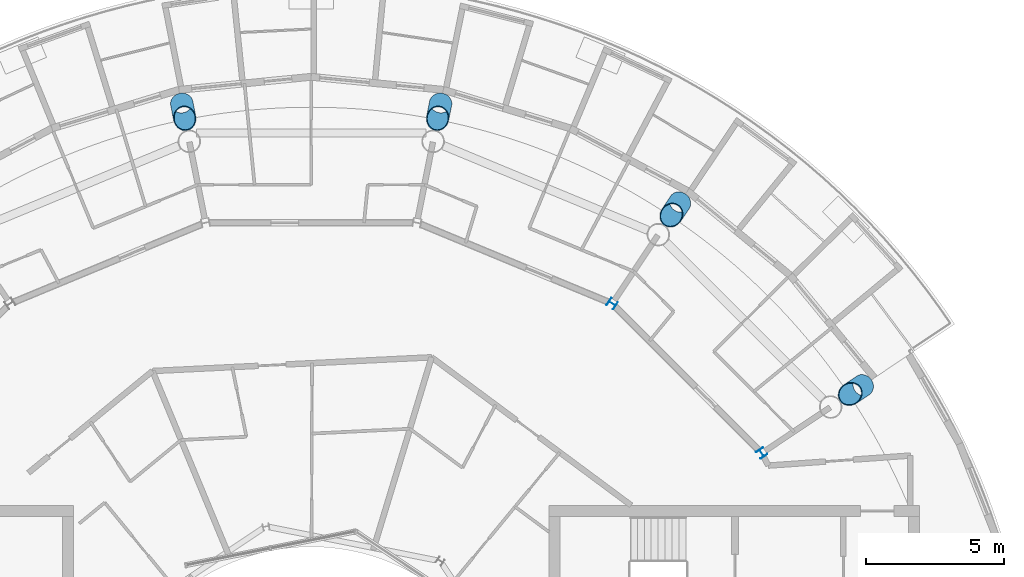
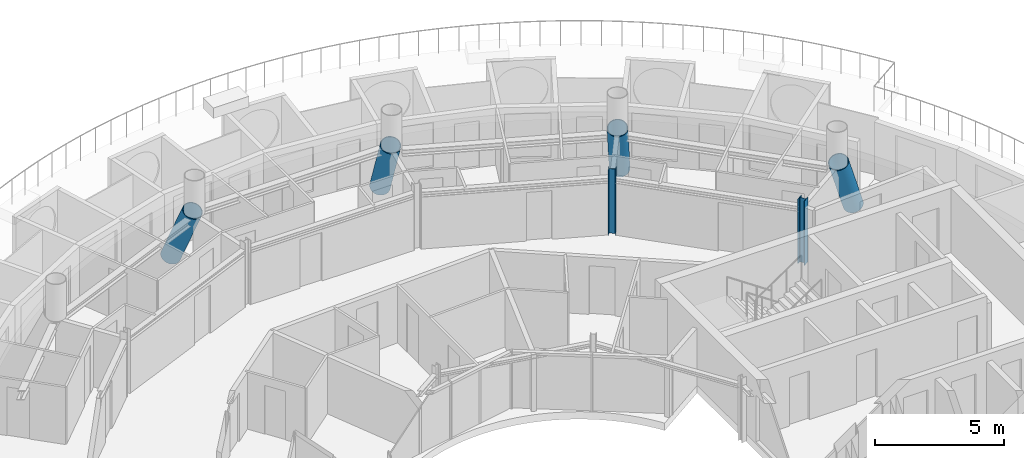
# One storey, part 5 of 25: 6 columns.
"""IFC4 building model written with IfcOpenShell, lengths in metres."""

from ifc_helpers import new_model, si_unit, direction, frame, origin, origin_2d, place, context, subcontext, project, spatial, hollow_circle, i_section, extrude, material, material_profile, profile_set, type_object, element, save


model = new_model("IFC4")

# Units and contexts
model_context = context("Model", 3, precision=1e-05, world=origin(), true_north=direction((0.0, 1.0)))
body_context = subcontext(model_context, "Body", "Model", "MODEL_VIEW")
ifc_project = project(units=[si_unit("LENGTHUNIT", "METRE"), si_unit("AREAUNIT", "SQUARE_METRE"), si_unit("VOLUMEUNIT", "CUBIC_METRE"), si_unit("PLANEANGLEUNIT", "RADIAN"), si_unit("MASSUNIT", "GRAM", prefix="KILO")], contexts=[model_context])

# Site, building, storey
site_placement = place(None, origin())
site = spatial("IfcSite", under=ifc_project, at=site_placement, CompositionType="ELEMENT")
building_placement = place(site_placement, origin())
building = spatial("IfcBuilding", under=site, at=building_placement, Name="Maasbend Ring Residences", CompositionType="ELEMENT")
storey_placement = place(building_placement, frame((0.0, 0.0, 246.25)))
storey = spatial("IfcBuildingStorey", under=building, at=storey_placement, Name="L71", CompositionType="ELEMENT", Elevation=246.25)

# Columns
ifc_material_1 = material(Name="Composite concrete-filled steel tube S460NH / C80/95", Category="concrete")
ifc_material_profile_1 = material_profile(ifc_material_1, hollow_circle(Radius=0.406494140625, WallThickness=0.030029296875, at=origin_2d()), Name="Composite tube column CHS 813x30")
ifc_profile_set_1 = profile_set([ifc_material_profile_1], Name="Composite concrete-filled steel tube S460NH / C80/95")
column_type_1 = type_object("IfcColumnType", Name="Composite tube column CHS 813x30", PredefinedType="COLUMN", material=ifc_profile_set_1)
for number, where, z_axis, x_axis, name in (
    (1, (19.955322265625, 13.333740234375, 0.0), (-0.346819263352, -0.231767499499, 0.908845545043), (0.555620411262, -0.831436082083, 0.0), "Outer column R2"),
    (2, (13.333740234375, 19.955322265625, 0.0), (-0.231767499499, -0.346819263352, 0.908845545043), (0.831436082083, -0.555620411262, 0.0), "Outer column R3"),
    (3, (4.68212890625, 23.538818359375, 0.0), (-0.081376771682, -0.40910250457, 0.90885255228), (0.980784718923, -0.195093144748, 0.0), "Outer column R4"),
    (4, (-4.68212890625, 23.538818359375, 0.0), (0.081376771682, -0.40910250457, 0.90885255228), (0.980784718923, 0.195093144748, 0.0), "Outer column R5"),
):
    element("IfcColumn", number, at=place(storey_placement, frame(where, z_axis=z_axis, x_axis=x_axis)), inside=storey, type_object=column_type_1, Name=name, PredefinedType="COLUMN", context=body_context, shape_type="SweptSolid", body=[
        extrude(hollow_circle(Radius=0.406494140625, WallThickness=0.030029296875, at=origin_2d()), origin(), (0.0, 0.0, 1.0), 3.0810546875),
    ])
ifc_material_2 = material(Name="Steel S355J2", Category="steel")
ifc_material_profile_2 = material_profile(ifc_material_2, i_section(OverallWidth=0.300048828125, OverallDepth=0.300048828125, WebThickness=0.010986328125, FlangeThickness=0.01904296875, FilletRadius=0.027099609375, at=origin_2d()), Name="HEB 300")
ifc_profile_set_2 = profile_set([ifc_material_profile_2], Name="Steel S355J2")
column_type_2 = type_object("IfcColumnType", Name="Steel column HEB 300", PredefinedType="COLUMN", material=ifc_profile_set_2)
for number, where, z_axis, x_axis, name in (
    (5, (16.296875, 10.88916015625, 0.0), (0.0, 0.0, 1.0), (0.831469612303, 0.55557023302, 0.0), "Corridor ring column R2"),
    (6, (10.88916015625, 16.296875, 0.0), (0.0, 0.0, 1.0), (0.55557023302, 0.831469612303, 0.0), "Corridor ring column R3"),
):
    element("IfcColumn", number, at=place(storey_placement, frame(where, z_axis=z_axis, x_axis=x_axis)), inside=storey, type_object=column_type_2, Name=name, PredefinedType="COLUMN", context=body_context, shape_type="SweptSolid", body=[
        extrude(i_section(OverallWidth=0.300048828125, OverallDepth=0.300048828125, WebThickness=0.010986328125, FlangeThickness=0.01904296875, FilletRadius=0.027099609375, at=origin_2d()), origin(), (0.0, 0.0, 1.0), 3.050048828125),
    ])

save(model, "model.ifc")
